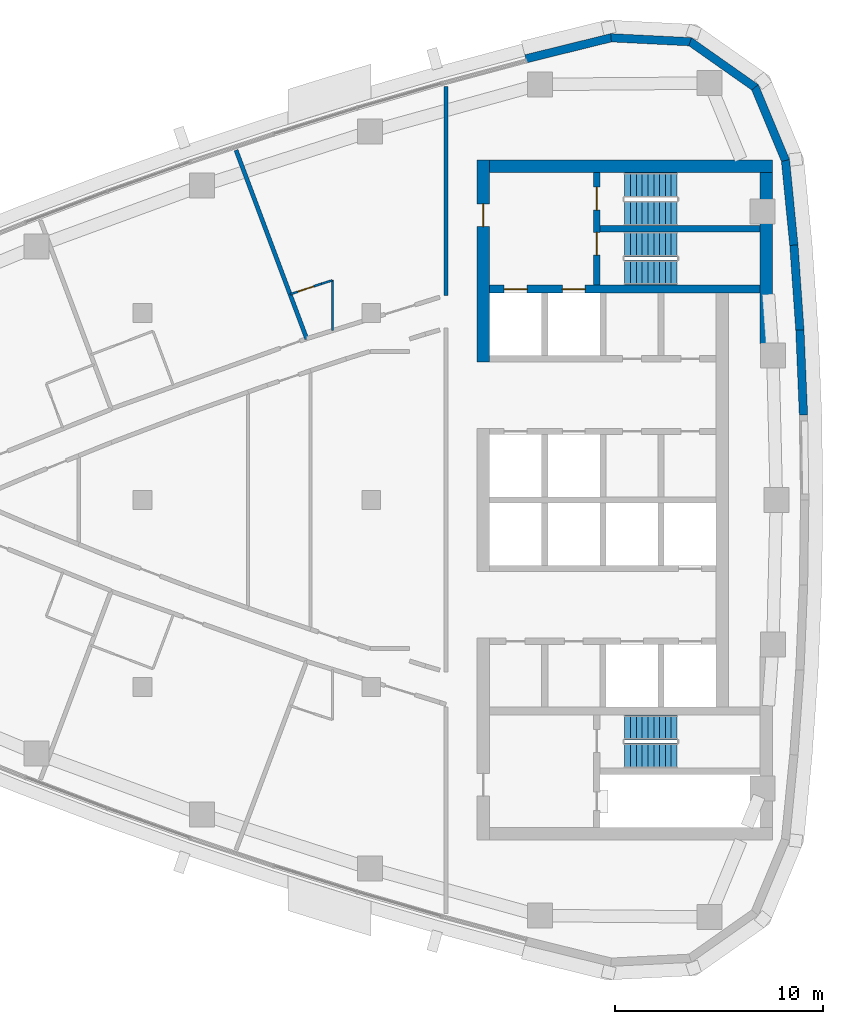
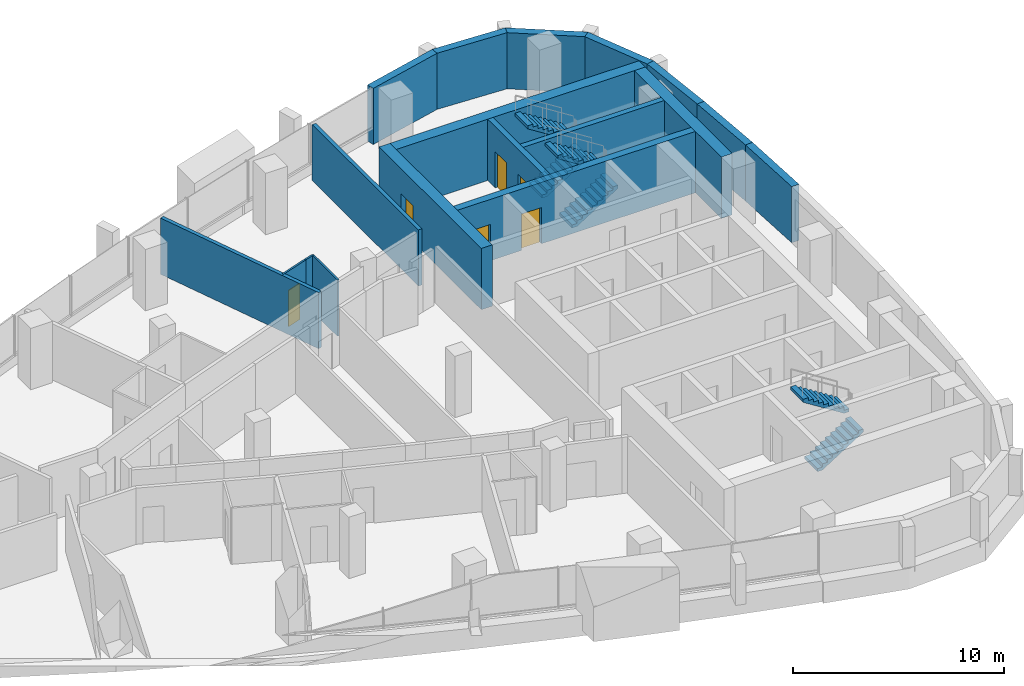
# One storey, part 11 of 15: 18 walls, 6 doors, 6 stair flights, 6 openings, 3 elements without a shape of their own.
"""IFC4 building model written with IfcOpenShell, lengths in metres."""

import ifcopenshell
import ifcopenshell.guid

model = None  # the IFC model being written
_history = None  # IfcOwnerHistory: only IFC2X3 demands one
_inside = {}  # id of a spatial element -> (the spatial element, [elements in it])
_under = {}  # id of a project, library or spatial element -> (it, [spatial elements below it])
_declared = {}  # id of a project -> (the project, [libraries it declares])
_typed = {}  # id of a type object -> (the type object, [elements of that type])
_made_of = {}  # id of a material, layer set ... -> (it, [elements and type objects made of it])


def new_model(schema):
    """Start an empty IFC model of exactly this schema.

    Asked for "IFC4X3", IfcOpenShell would pick the latest addendum, in which some entities
    have other attributes; the version numbers below select the first issue.
    IFC2X3 requires an IfcOwnerHistory on every rooted entity: one is made here for all.
    """
    global model, _history
    if schema == "IFC4X3":
        model = ifcopenshell.file(schema_version=(4, 3, 0, 0))
    else:
        model = ifcopenshell.file(schema=schema)
    _inside.clear()
    _under.clear()
    _declared.clear()
    _typed.clear()
    _made_of.clear()
    _history = None
    if model.schema == "IFC2X3":
        org = make("IfcOrganization", Name="unknown")
        user = make(
            "IfcPersonAndOrganization",
            ThePerson=make("IfcPerson", FamilyName="unknown"),
            TheOrganization=org,
        )
        app = make(
            "IfcApplication",
            ApplicationDeveloper=org,
            Version="unknown",
            ApplicationFullName="unknown",
            ApplicationIdentifier="unknown",
        )
        _history = make(
            "IfcOwnerHistory",
            OwningUser=user,
            OwningApplication=app,
            ChangeAction="ADDED",
            CreationDate=0,
        )
    return model


def make(cls, **values):
    """One entity of the class cls with the attributes given. An attribute that is None is left unset."""
    return model.create_entity(
        cls, **{name: value for name, value in values.items() if value is not None}
    )


def rooted(cls, **values):
    """An entity with a GlobalId (a new one), such as an element, a storey or a relation."""
    return make(cls, GlobalId=ifcopenshell.guid.new(), OwnerHistory=_history, **values)


def si_unit(unit_type, name, prefix=None):
    """IfcSIUnit, for example si_unit("LENGTHUNIT", "METRE", prefix="MILLI")."""
    return make("IfcSIUnit", UnitType=unit_type, Prefix=prefix, Name=name)


def assignment(units):
    """IfcUnitAssignment: the units of a project."""
    return None if units is None else make("IfcUnitAssignment", Units=units)


def point(xyz):
    """IfcCartesianPoint."""
    return None if xyz is None else make("IfcCartesianPoint", Coordinates=xyz)


def direction(xyz):
    """IfcDirection."""
    return None if xyz is None else make("IfcDirection", DirectionRatios=xyz)


def frame(location, z_axis=None, x_axis=None):
    """IfcAxis2Placement3D, a coordinate frame: its origin and axes. An axis left out is left unset."""
    return make(
        "IfcAxis2Placement3D",
        Location=point(location),
        Axis=direction(z_axis),
        RefDirection=direction(x_axis),
    )


def frame_2d(location, x_axis=None):
    """IfcAxis2Placement2D, a coordinate frame in the plane: its origin and x axis."""
    return make(
        "IfcAxis2Placement2D", Location=point(location), RefDirection=direction(x_axis)
    )


def origin():
    """The frame at (0, 0, 0) with its axes left unset."""
    return frame((0.0, 0.0, 0.0))


def place(relative_to, where):
    """IfcLocalPlacement: puts the frame where relative to a parent placement (None: the world)."""
    return make(
        "IfcLocalPlacement", PlacementRelTo=relative_to, RelativePlacement=where
    )


def context(
    kind, dimensions, precision=None, world=None, true_north=None, identifier=None
):
    """IfcGeometricRepresentationContext, for example the 3D "Model" context."""
    return make(
        "IfcGeometricRepresentationContext",
        ContextIdentifier=identifier,
        ContextType=kind,
        CoordinateSpaceDimension=dimensions,
        Precision=precision,
        WorldCoordinateSystem=world,
        TrueNorth=true_north,
    )


def subcontext(parent, identifier, kind, view, scale=None):
    """IfcGeometricRepresentationSubContext, for example "Body" below "Model"."""
    return make(
        "IfcGeometricRepresentationSubContext",
        ContextIdentifier=identifier,
        ContextType=kind,
        ParentContext=parent,
        TargetScale=scale,
        TargetView=view,
    )


def project(units=None, contexts=None):
    """IfcProject with its units and contexts."""
    return rooted(
        "IfcProject",
        Name="project",
        RepresentationContexts=contexts,
        UnitsInContext=assignment(units),
    )


def spatial(cls, under=None, at=None, **own):
    """A site, building, storey or space (cls), placed at a placement, below another one or the project."""
    s = rooted(cls, ObjectPlacement=at, **own)
    if under is not None:
        _under.setdefault(under.id(), (under, []))[1].append(s)
    return s


def polyline(points):
    """IfcPolyline through the points."""
    return make("IfcPolyline", Points=[point(p) for p in points])


def profile(cls, at=None, kind="AREA", **sizes):
    """A parametric profile (cls). Its sizes go by their IFC names, for example OverallWidth=200.0."""
    return make(cls, ProfileType=kind, Position=at, **sizes)


def rectangle(**sizes):
    """IfcRectangleProfileDef."""
    return profile("IfcRectangleProfileDef", **sizes)


def outline(outer, holes=None, kind="AREA"):
    """IfcArbitraryClosedProfileDef: a profile drawn as a closed curve; with holes, ...WithVoids."""
    if holes is None:
        return make("IfcArbitraryClosedProfileDef", ProfileType=kind, OuterCurve=outer)
    return make(
        "IfcArbitraryProfileDefWithVoids",
        ProfileType=kind,
        OuterCurve=outer,
        InnerCurves=holes,
    )


def extrude(swept, where, along, depth):
    """IfcExtrudedAreaSolid: the profile swept, set in the frame where, extruded along a direction by depth."""
    return make(
        "IfcExtrudedAreaSolid",
        SweptArea=swept,
        Position=where,
        ExtrudedDirection=direction(along),
        Depth=depth,
    )


def shape(context_of_items, identifier, shape_type, items):
    """IfcShapeRepresentation: the items that make up one representation, for example the "Body"."""
    return make(
        "IfcShapeRepresentation",
        ContextOfItems=context_of_items,
        RepresentationIdentifier=identifier,
        RepresentationType=shape_type,
        Items=items,
    )


def material(Name=None, Category=None):
    """IfcMaterial."""
    return make("IfcMaterial", Name=Name, Category=Category)


def layer(
    of_material, thickness, ventilated=None, Name=None, Category=None, Priority=None
):
    """IfcMaterialLayer: one layer of a wall or slab, of a material (None: an air gap)."""
    return make(
        "IfcMaterialLayer",
        Material=of_material,
        LayerThickness=thickness,
        IsVentilated=ventilated,
        Name=Name,
        Category=Category,
        Priority=Priority,
    )


def layer_set(layers, Name=None):
    """IfcMaterialLayerSet."""
    return make("IfcMaterialLayerSet", MaterialLayers=layers, LayerSetName=Name)


def made_of(thing, what):
    """Note that an element or type object is made of a material, layer set ...; save() writes the relation."""
    if what is not None:
        _made_of.setdefault(what.id(), (what, []))[1].append(thing)
    return thing


def type_object(cls, material=None, **own):
    """A type object (cls), such as IfcWallType, which elements share."""
    return made_of(rooted(cls, **own), material)


def element(
    cls,
    number,
    at=None,
    inside=None,
    cuts=None,
    type_object=None,
    material=None,
    context=None,
    identifier="Body",
    shape_type=None,
    held_by="IfcProductDefinitionShape",
    body=None,
    shapes=None,
    **own,
):
    """One element of the class cls, such as IfcWall. Its Tag is "e" and its number.

    at: its placement. inside: the storey or other place that contains it. cuts: it is an
    opening in that element (IfcRelVoidsElement). A single representation is given by context,
    identifier, shape_type and body (its items); several are given by shapes. held_by: the class
    of the entity that holds the representations. save() writes the other relations.
    """
    e = rooted(cls, Tag="e%d" % number, ObjectPlacement=at, **own)
    if body is not None:
        shapes = [shape(context, identifier, shape_type, body)]
    if shapes is not None:
        e.Representation = make(held_by, Representations=shapes)
    if inside is not None:
        _inside.setdefault(inside.id(), (inside, []))[1].append(e)
    if cuts is not None:
        rooted(
            "IfcRelVoidsElement", RelatingBuildingElement=cuts, RelatedOpeningElement=e
        )
    if type_object is not None:
        _typed.setdefault(type_object.id(), (type_object, []))[1].append(e)
    return made_of(e, material)


def fill(opening, filler):
    """IfcRelFillsElement: the door or window that sits in an opening."""
    return rooted(
        "IfcRelFillsElement",
        RelatingOpeningElement=opening,
        RelatedBuildingElement=filler,
    )


def aggregate(whole, parts):
    """IfcRelAggregates: a whole, such as a stair, and the parts it consists of."""
    return rooted("IfcRelAggregates", RelatingObject=whole, RelatedObjects=parts)


def save(model, path):
    """Write the relations noted so far, then the file.

    IfcRelAggregates (storeys below a building ...), IfcRelContainedInSpatialStructure (elements
    in a storey), IfcRelDefinesByType, IfcRelAssociatesMaterial and IfcRelDeclares: one each for
    every whole, place, type object, material and project.
    """
    for whole, parts in _under.values():
        aggregate(whole, parts)
    for where, things in _inside.values():
        rooted(
            "IfcRelContainedInSpatialStructure",
            RelatedElements=things,
            RelatingStructure=where,
        )
    for kind, things in _typed.values():
        rooted("IfcRelDefinesByType", RelatedObjects=things, RelatingType=kind)
    for what, things in _made_of.values():
        rooted("IfcRelAssociatesMaterial", RelatedObjects=things, RelatingMaterial=what)
    for by, libraries in _declared.values():
        rooted("IfcRelDeclares", RelatingContext=by, RelatedDefinitions=libraries)
    model.write(path)


model = new_model("IFC4")

# Units and contexts
model_context = context("Model", 3, precision=1e-05, world=origin(), true_north=direction((0.0, 1.0)))
body_context = subcontext(model_context, "Body", "Model", "MODEL_VIEW")
ifc_project = project(units=[si_unit("LENGTHUNIT", "METRE"), si_unit("AREAUNIT", "SQUARE_METRE"), si_unit("VOLUMEUNIT", "CUBIC_METRE"), si_unit("PLANEANGLEUNIT", "RADIAN"), si_unit("MASSUNIT", "GRAM", prefix="KILO")], contexts=[model_context])

# Site, building, storey
site_placement = place(None, origin())
site = spatial("IfcSite", under=ifc_project, at=site_placement, CompositionType="ELEMENT")
building_placement = place(site_placement, origin())
building = spatial("IfcBuilding", under=site, at=building_placement, Name="Ostrand Prow Hotel Tower", CompositionType="ELEMENT")
storey_placement = place(building_placement, frame((0.0, 0.0, 231.449951171875)))
storey = spatial("IfcBuildingStorey", under=building, at=storey_placement, Name="L58", CompositionType="ELEMENT", Elevation=231.449951171875)

# Wall, openings, doors
ifc_material_1 = material(Name="Concrete C50/60", Category="concrete")
ifc_layer_1 = layer(ifc_material_1, 0.300048828125)
ifc_layer_set_1 = layer_set([ifc_layer_1], Name="Concrete C50/60")
wall_type_1 = type_object("IfcWallType", Name="Core wall 300 C50/60", PredefinedType="SHEAR", material=ifc_layer_set_1)
wall_1_placement = place(storey_placement, frame((55.85009765625, 10.35009765625, 0.0), z_axis=(0.0, 0.0, 1.0), x_axis=(0.0, 1.0, 0.0)))
wall_1 = element("IfcWall", 1, at=wall_1_placement, inside=storey, type_object=wall_type_1, Name="Core wall PW-VN", PredefinedType="SHEAR", context=body_context, shape_type="SweptSolid", body=[
    extrude(rectangle(XDim=5.39990234375, YDim=0.300048828125, at=frame_2d((2.699951171875, 0.0))), origin(), (0.0, 0.0, 1.0), 3.550048828125),
])
opening_1_placement = place(wall_1_placement, frame((1.429931640625, 0.0, 0.0)))
opening_1 = element("IfcOpeningElement", 2, at=opening_1_placement, cuts=wall_1, Name="Opening FD1", PredefinedType="OPENING", context=body_context, shape_type="SweptSolid", body=[
    extrude(rectangle(XDim=1.10009765625, YDim=2.10009765625, at=frame_2d((0.550048828125, 1.050048828125))), frame((0.0, 0.159912109375, 0.0), z_axis=(0.0, -1.0, 0.0), x_axis=(1.0, 0.0, 0.0)), (0.0, 0.0, 1.0), 0.320068359375),
])
opening_2_placement = place(wall_1_placement, frame((3.60009765625, 0.0, 0.0)))
opening_2 = element("IfcOpeningElement", 3, at=opening_2_placement, cuts=wall_1, Name="Opening FD1", PredefinedType="OPENING", context=body_context, shape_type="SweptSolid", body=[
    extrude(rectangle(XDim=1.10009765625, YDim=2.10009765625, at=frame_2d((0.550048828125, 1.050048828125))), frame((0.0, 0.159912109375, 0.0), z_axis=(0.0, -1.0, 0.0), x_axis=(1.0, 0.0, 0.0)), (0.0, 0.0, 1.0), 0.320068359375),
])
ifc_material_2 = material(Name="Steel fire door", Category="steel")
door_type_1 = type_object("IfcDoorType", Name="Fire door 1100 EI120", OperationType="SINGLE_SWING_RIGHT", PredefinedType="DOOR", material=ifc_material_2)
door_1_placement = place(opening_1_placement, origin())
door_1 = element("IfcDoor", 4, at=door_1_placement, inside=storey, type_object=door_type_1, Name="FIRE DOOR", OperationType="SINGLE_SWING_RIGHT", OverallHeight=2.10009765625, OverallWidth=1.10009765625, PredefinedType="DOOR", context=body_context, shape_type="SweptSolid", body=[
    extrude(rectangle(XDim=1.10009765625, YDim=2.10009765625, at=frame_2d((0.550048828125, 1.050048828125))), frame((0.0, 0.02490234375, 0.0), z_axis=(0.0, -1.0, 0.0), x_axis=(1.0, 0.0, 0.0)), (0.0, 0.0, 1.0), 0.050048828125),
])
fill(opening_1, door_1)
door_2_placement = place(opening_2_placement, origin())
door_2 = element("IfcDoor", 5, at=door_2_placement, inside=storey, type_object=door_type_1, Name="FIRE DOOR", OperationType="SINGLE_SWING_RIGHT", OverallHeight=2.10009765625, OverallWidth=1.10009765625, PredefinedType="DOOR", context=body_context, shape_type="SweptSolid", body=[
    extrude(rectangle(XDim=1.10009765625, YDim=2.10009765625, at=frame_2d((0.550048828125, 1.050048828125))), frame((0.0, 0.02490234375, 0.0), z_axis=(0.0, -1.0, 0.0), x_axis=(1.0, 0.0, 0.0)), (0.0, 0.0, 1.0), 0.050048828125),
])
fill(opening_2, door_2)

# Wall
wall_2_placement = place(storey_placement, frame((56.0, 13.050048828125, 0.0), z_axis=(0.0, 0.0, 1.0), x_axis=(1.0, 0.0, 0.0)))
element("IfcWall", 6, at=wall_2_placement, inside=storey, type_object=wall_type_1, Name="Core wall PW-ST13", PredefinedType="SHEAR", context=body_context, shape_type="SweptSolid", body=[
    extrude(rectangle(XDim=7.719970703125, YDim=0.300048828125, at=frame_2d((3.85986328125, 0.0))), origin(), (0.0, 0.0, 1.0), 3.550048828125),
])

# Wall, openings, doors
ifc_material_3 = material(Name="Concrete C50/60", Category="concrete")
ifc_layer_2 = layer(ifc_material_3, 0.39990234375)
ifc_layer_set_2 = layer_set([ifc_layer_2], Name="Concrete C50/60")
wall_type_2 = type_object("IfcWallType", Name="Core wall 400 C50/60", PredefinedType="SHEAR", material=ifc_layer_set_2)
wall_3_placement = place(storey_placement, frame((50.699951171875, 10.14990234375, 0.0), z_axis=(0.0, 0.0, 1.0), x_axis=(1.0, 0.0, 0.0)))
wall_3 = element("IfcWall", 7, at=wall_3_placement, inside=storey, type_object=wall_type_2, Name="Core wall PW-BN", PredefinedType="SHEAR", context=body_context, shape_type="SweptSolid", body=[
    extrude(rectangle(XDim=13.02001953125, YDim=0.39990234375, at=frame_2d((6.510009765625, 0.0))), origin(), (0.0, 0.0, 1.0), 3.550048828125),
])
opening_3_placement = place(wall_3_placement, frame((0.699951171875, 0.0, 0.0)))
opening_3 = element("IfcOpeningElement", 8, at=opening_3_placement, cuts=wall_3, Name="Opening LD", PredefinedType="OPENING", context=body_context, shape_type="SweptSolid", body=[
    extrude(rectangle(XDim=1.10009765625, YDim=2.10009765625, at=frame_2d((0.550048828125, 1.050048828125))), frame((0.0, 0.2099609375, 0.0), z_axis=(0.0, -1.0, 0.0), x_axis=(1.0, 0.0, 0.0)), (0.0, 0.0, 1.0), 0.419921875),
])
opening_4_placement = place(wall_3_placement, frame((3.5, 0.0, 0.0)))
opening_4 = element("IfcOpeningElement", 9, at=opening_4_placement, cuts=wall_3, Name="Opening LD", PredefinedType="OPENING", context=body_context, shape_type="SweptSolid", body=[
    extrude(rectangle(XDim=1.10009765625, YDim=2.10009765625, at=frame_2d((0.550048828125, 1.050048828125))), frame((0.0, 0.2099609375, 0.0), z_axis=(0.0, -1.0, 0.0), x_axis=(1.0, 0.0, 0.0)), (0.0, 0.0, 1.0), 0.419921875),
])
ifc_material_4 = material(Name="Stainless steel door", Category="steel")
door_type_2 = type_object("IfcDoorType", Name="Lift landing door 1100", OperationType="DOUBLE_DOOR_SLIDING", PredefinedType="DOOR", material=ifc_material_4)
door_3_placement = place(opening_3_placement, origin())
door_3 = element("IfcDoor", 10, at=door_3_placement, inside=storey, type_object=door_type_2, Name="LIFT LANDING DOOR", OperationType="DOUBLE_DOOR_SLIDING", OverallHeight=2.10009765625, OverallWidth=1.10009765625, PredefinedType="DOOR", context=body_context, shape_type="SweptSolid", body=[
    extrude(rectangle(XDim=1.10009765625, YDim=2.10009765625, at=frame_2d((0.550048828125, 1.050048828125))), frame((0.0, 0.02490234375, 0.0), z_axis=(0.0, -1.0, 0.0), x_axis=(1.0, 0.0, 0.0)), (0.0, 0.0, 1.0), 0.050048828125),
])
fill(opening_3, door_3)
door_4_placement = place(opening_4_placement, origin())
door_4 = element("IfcDoor", 11, at=door_4_placement, inside=storey, type_object=door_type_2, Name="LIFT LANDING DOOR", OperationType="DOUBLE_DOOR_SLIDING", OverallHeight=2.10009765625, OverallWidth=1.10009765625, PredefinedType="DOOR", context=body_context, shape_type="SweptSolid", body=[
    extrude(rectangle(XDim=1.10009765625, YDim=2.10009765625, at=frame_2d((0.550048828125, 1.050048828125))), frame((0.0, 0.02490234375, 0.0), z_axis=(0.0, -1.0, 0.0), x_axis=(1.0, 0.0, 0.0)), (0.0, 0.0, 1.0), 0.050048828125),
])
fill(opening_4, door_4)

# Wall, opening, door
ifc_material_5 = material(Name="Concrete C50/60", Category="concrete")
ifc_layer_3 = layer(ifc_material_5, 0.60009765625)
ifc_layer_set_3 = layer_set([ifc_layer_3], Name="Concrete C50/60")
wall_type_3 = type_object("IfcWallType", Name="Core wall 600 C50/60", PredefinedType="SHEAR", material=ifc_layer_set_3)
wall_4_placement = place(storey_placement, frame((50.39990234375, 6.64990234375, 0.0), z_axis=(0.0, 0.0, 1.0), x_axis=(0.0, 1.0, 0.0)))
wall_4 = element("IfcWall", 12, at=wall_4_placement, inside=storey, type_object=wall_type_3, Name="Core wall CW-W-N", PredefinedType="SHEAR", context=body_context, shape_type="SweptSolid", body=[
    extrude(rectangle(XDim=9.7001953125, YDim=0.60009765625, at=frame_2d((4.85009765625, 0.0))), origin(), (0.0, 0.0, 1.0), 3.550048828125),
])
opening_5_placement = place(wall_4_placement, frame((6.5, 0.0, 0.0)))
opening_5 = element("IfcOpeningElement", 13, at=opening_5_placement, cuts=wall_4, Name="Opening FD1", PredefinedType="OPENING", context=body_context, shape_type="SweptSolid", body=[
    extrude(rectangle(XDim=1.10009765625, YDim=2.10009765625, at=frame_2d((0.550048828125, 1.050048828125))), frame((0.0, 0.31005859375, 0.0), z_axis=(0.0, -1.0, 0.0), x_axis=(1.0, 0.0, 0.0)), (0.0, 0.0, 1.0), 0.6201171875),
])
door_5_placement = place(opening_5_placement, origin())
door_5 = element("IfcDoor", 14, at=door_5_placement, inside=storey, type_object=door_type_1, Name="FIRE DOOR", OperationType="SINGLE_SWING_RIGHT", OverallHeight=2.10009765625, OverallWidth=1.10009765625, PredefinedType="DOOR", context=body_context, shape_type="SweptSolid", body=[
    extrude(rectangle(XDim=1.10009765625, YDim=2.10009765625, at=frame_2d((0.550048828125, 1.050048828125))), frame((0.0, 0.02490234375, 0.0), z_axis=(0.0, -1.0, 0.0), x_axis=(1.0, 0.0, 0.0)), (0.0, 0.0, 1.0), 0.050048828125),
])
fill(opening_5, door_5)

# Walls
wall_5_placement = place(storey_placement, frame((50.699951171875, 16.050048828125, 0.0), z_axis=(0.0, 0.0, 1.0), x_axis=(1.0, 0.0, 0.0)))
element("IfcWall", 15, at=wall_5_placement, inside=storey, type_object=wall_type_3, Name="Core wall CW-N", PredefinedType="SHEAR", context=body_context, shape_type="SweptSolid", body=[
    extrude(rectangle(XDim=13.6201171875, YDim=0.60009765625, at=frame_2d((6.81005859375, 0.0))), origin(), (0.0, 0.0, 1.0), 3.550048828125),
])
wall_6_placement = place(storey_placement, frame((64.02001953125, 7.502197265625, 0.0), z_axis=(0.0, 0.0, 1.0), x_axis=(0.0, 1.0, 0.0)))
element("IfcWall", 16, at=wall_6_placement, inside=storey, type_object=wall_type_3, Name="Core wall CW-E-N", PredefinedType="SHEAR", context=body_context, shape_type="SweptSolid", body=[
    extrude(rectangle(XDim=8.247802734375, YDim=0.60009765625, at=frame_2d((4.1240234375, 0.0))), origin(), (0.0, 0.0, 1.0), 3.550048828125),
])

# Wall, opening, door
ifc_material_6 = material(Name="Plasterboard partition")
ifc_layer_4 = layer(ifc_material_6, 0.10009765625)
ifc_layer_set_4 = layer_set([ifc_layer_4], Name="Plasterboard partition")
wall_type_4 = type_object("IfcWallType", Name="Partition 100 bathroom wall", PredefinedType="PARTITIONING", material=ifc_layer_set_4)
wall_7_placement = place(storey_placement, frame((41.097412109375, 9.900634765625, 0.0), z_axis=(0.0, 0.0, 1.0), x_axis=(0.948485479965, 0.3168206027, 0.0)))
wall_7 = element("IfcWall", 17, at=wall_7_placement, inside=storey, type_object=wall_type_4, Name="BATHROOM WALL", PredefinedType="PARTITIONING", context=body_context, shape_type="SweptSolid", body=[
    extrude(rectangle(XDim=1.60595703125, YDim=0.10009765625, at=frame_2d((0.802978515625, 0.0))), origin(), (0.0, 0.0, 1.0), 3.25),
])
opening_6_placement = place(wall_7_placement, frame((0.39990234375, 0.0, 0.0)))
opening_6 = element("IfcOpeningElement", 18, at=opening_6_placement, cuts=wall_7, Name="Opening D2", PredefinedType="OPENING", context=body_context, shape_type="SweptSolid", body=[
    extrude(rectangle(XDim=0.800048828125, YDim=2.10009765625, at=frame_2d((0.39990234375, 1.050048828125))), frame((0.0, 0.06005859375, 0.0), z_axis=(0.0, -1.0, 0.0), x_axis=(1.0, 0.0, 0.0)), (0.0, 0.0, 1.0), 0.1201171875),
])
ifc_material_7 = material(Name="Timber door leaf", Category="wood")
door_type_3 = type_object("IfcDoorType", Name="Bathroom door 800", OperationType="SINGLE_SWING_LEFT", PredefinedType="DOOR", material=ifc_material_7)
door_6_placement = place(opening_6_placement, origin())
door_6 = element("IfcDoor", 19, at=door_6_placement, inside=storey, type_object=door_type_3, Name="DOOR", OperationType="SINGLE_SWING_LEFT", OverallHeight=2.10009765625, OverallWidth=0.800048828125, PredefinedType="DOOR", context=body_context, shape_type="SweptSolid", body=[
    extrude(rectangle(XDim=0.800048828125, YDim=2.10009765625, at=frame_2d((0.39990234375, 1.050048828125))), frame((0.0, 0.02490234375, 0.0), z_axis=(0.0, -1.0, 0.0), x_axis=(1.0, 0.0, 0.0)), (0.0, 0.0, 1.0), 0.050048828125),
])
fill(opening_6, door_6)

# Walls
wall_8_placement = place(storey_placement, frame((42.62060546875, 10.409423828125, 0.0), z_axis=(0.0, 0.0, 1.0), x_axis=(0.954618903587, 0.297830067176, 0.0)))
element("IfcWall", 20, at=wall_8_placement, inside=storey, type_object=wall_type_4, Name="BATHROOM WALL", PredefinedType="PARTITIONING", context=body_context, shape_type="SweptSolid", body=[
    extrude(rectangle(XDim=0.53125, YDim=0.10009765625, at=frame_2d((0.265625, 0.0))), origin(), (0.0, 0.0, 1.0), 3.25),
])
wall_9_placement = place(storey_placement, frame((43.14501953125, 10.59033203125, 0.0), z_axis=(0.0, 0.0, 1.0), x_axis=(0.0, -1.0, 0.0)))
element("IfcWall", 21, at=wall_9_placement, inside=storey, type_object=wall_type_4, Name="BATHROOM WALL", PredefinedType="PARTITIONING", context=body_context, shape_type="SweptSolid", body=[
    extrude(rectangle(XDim=2.42529296875, YDim=0.10009765625, at=frame_2d((1.212646484375, 0.0))), origin(), (0.0, 0.0, 1.0), 3.25),
])
ifc_material_8 = material(Name="Plasterboard partition")
ifc_layer_5 = layer(ifc_material_8, 0.199951171875)
ifc_layer_set_5 = layer_set([ifc_layer_5], Name="Plasterboard partition")
wall_type_5 = type_object("IfcWallType", Name="Partition 200 corridor wall", PredefinedType="PARTITIONING", material=ifc_layer_set_5)
wall_10_placement = place(storey_placement, frame((48.594970703125, 19.904296875, 0.0), z_axis=(0.0, 0.0, 1.0), x_axis=(0.0, -1.0, 0.0)))
element("IfcWall", 22, at=wall_10_placement, inside=storey, type_object=wall_type_5, Name="CORRIDOR WALL", PredefinedType="PARTITIONING", context=body_context, shape_type="SweptSolid", body=[
    extrude(rectangle(XDim=10.0673828125, YDim=0.199951171875, at=frame_2d((5.03369140625, 0.0))), origin(), (0.0, 0.0, 1.0), 3.25),
])
ifc_material_9 = material(Name="Plasterboard partition")
ifc_layer_6 = layer(ifc_material_9, 0.199951171875)
ifc_layer_set_6 = layer_set([ifc_layer_6], Name="Plasterboard partition")
wall_type_6 = type_object("IfcWallType", Name="Partition 200 key partition", PredefinedType="PARTITIONING", material=ifc_layer_set_6)
wall_11_placement = place(storey_placement, frame((41.905517578125, 7.74560546875, 0.0), z_axis=(0.0, 0.0, 1.0), x_axis=(-0.35112895446, 0.936327110224, 0.0)))
element("IfcWall", 23, at=wall_11_placement, inside=storey, type_object=wall_type_6, Name="KEY PARTITION", PredefinedType="PARTITIONING", context=body_context, shape_type="SweptSolid", body=[
    extrude(rectangle(XDim=9.706298828125, YDim=0.199951171875, at=frame_2d((4.85302734375, 0.0))), origin(), (0.0, 0.0, 1.0), 3.25),
])
ifc_material_10 = material(Name="Precast concrete C40/50", Category="concrete")
ifc_layer_7 = layer(ifc_material_10, 0.39990234375)
ifc_layer_set_7 = layer_set([ifc_layer_7], Name="Precast concrete C40/50")
wall_type_7 = type_object("IfcWallType", Name="Stone-faced precast wall 400 mm", PredefinedType="NOTDEFINED", material=ifc_layer_set_7)
wall_12_placement = place(storey_placement, frame((65.803955078125, 4.092529296875, 0.0), z_axis=(0.0, 0.0, 1.0), x_axis=(-0.042352554594, 0.999102728011, 0.0)))
element("IfcWall", 24, at=wall_12_placement, inside=storey, type_object=wall_type_7, Name="Stone-faced wall back 10", PredefinedType="NOTDEFINED", context=body_context, shape_type="SweptSolid", body=[
    extrude(outline(polyline([(-0.002685546875, -0.199951171875), (4.095458984375, -0.199951171875), (4.090087890625, 0.199951171875), (0.002685546875, 0.199951171875), (-0.002685546875, -0.199951171875)])), origin(), (0.0, 0.0, 1.0), 3.25),
])
wall_13_placement = place(storey_placement, frame((65.630615234375, 8.181640625, 0.0), z_axis=(0.0, 0.0, 1.0), x_axis=(-0.070623905352, 0.997503014528, 0.0)))
element("IfcWall", 25, at=wall_13_placement, inside=storey, type_object=wall_type_7, Name="Stone-faced wall back 11", PredefinedType="NOTDEFINED", context=body_context, shape_type="SweptSolid", body=[
    extrude(outline(polyline([(-0.002685546875, -0.199951171875), (4.095703125, -0.199951171875), (4.09033203125, 0.199951171875), (0.002685546875, 0.199951171875), (-0.002685546875, -0.199951171875)])), origin(), (0.0, 0.0, 1.0), 3.25),
])
wall_14_placement = place(storey_placement, frame((65.341552734375, 12.264404296875, 0.0), z_axis=(0.0, 0.0, 1.0), x_axis=(-0.098718218066, 0.995115427185, 0.0)))
element("IfcWall", 26, at=wall_14_placement, inside=storey, type_object=wall_type_7, Name="Stone-faced wall back 12", PredefinedType="NOTDEFINED", context=body_context, shape_type="SweptSolid", body=[
    extrude(outline(polyline([(-0.002685546875, -0.199951171875), (4.122802734375, -0.199951171875), (4.063232421875, 0.199951171875), (0.002685546875, 0.199951171875), (-0.002685546875, -0.199951171875)])), origin(), (0.0, 0.0, 1.0), 3.25),
])
wall_15_placement = place(storey_placement, frame((64.9375, 16.33740234375, 0.0), z_axis=(0.0, 0.0, 1.0), x_axis=(-0.3844335483, 0.923152667191, 0.0)))
element("IfcWall", 27, at=wall_15_placement, inside=storey, type_object=wall_type_7, Name="Stone-faced wall back 13", PredefinedType="NOTDEFINED", context=body_context, shape_type="SweptSolid", body=[
    extrude(outline(polyline([(-0.02978515625, -0.199951171875), (3.871337890625, -0.199951171875), (3.755615234375, 0.199951171875), (0.02978515625, 0.199951171875), (-0.02978515625, -0.199951171875)])), origin(), (0.0, 0.0, 1.0), 3.25),
])
wall_16_placement = place(storey_placement, frame((63.471435546875, 19.85791015625, 0.0), z_axis=(0.0, 0.0, 1.0), x_axis=(-0.817942545532, 0.575299915009, 0.0)))
element("IfcWall", 28, at=wall_16_placement, inside=storey, type_object=wall_type_7, Name="Stone-faced wall back 14", PredefinedType="NOTDEFINED", context=body_context, shape_type="SweptSolid", body=[
    extrude(outline(polyline([(-0.057861328125, -0.199951171875), (3.871337890625, -0.199951171875), (3.755615234375, 0.199951171875), (0.057861328125, 0.199951171875), (-0.057861328125, -0.199951171875)])), origin(), (0.0, 0.0, 1.0), 3.25),
])
wall_17_placement = place(storey_placement, frame((60.352294921875, 22.0517578125, 0.0), z_axis=(0.0, 0.0, 1.0), x_axis=(-0.998758875872, 0.049806705046, 0.0)))
element("IfcWall", 29, at=wall_17_placement, inside=storey, type_object=wall_type_7, Name="Stone-faced wall back 15", PredefinedType="NOTDEFINED", context=body_context, shape_type="SweptSolid", body=[
    extrude(outline(polyline([(-0.057861328125, -0.199951171875), (3.8427734375, -0.199951171875), (3.7841796875, 0.199951171875), (0.057861328125, 0.199951171875), (-0.057861328125, -0.199951171875)])), origin(), (0.0, 0.0, 1.0), 3.25),
])
wall_18_placement = place(storey_placement, frame((56.54345703125, 22.24169921875, 0.0), z_axis=(0.0, 0.0, 1.0), x_axis=(-0.970902342456, -0.23947576373, 0.0)))
element("IfcWall", 30, at=wall_18_placement, inside=storey, type_object=wall_type_7, Name="Stone-faced wall back 16", PredefinedType="NOTDEFINED", context=body_context, shape_type="SweptSolid", body=[
    extrude(outline(polyline([(-0.029296875, -0.199951171875), (4.225830078125, -0.199951171875), (4.225830078125, 0.199951171875), (0.029296875, 0.199951171875), (-0.029296875, -0.199951171875)])), origin(), (0.0, 0.0, 1.0), 3.25),
])

# Stair, stair flights
ifc_material_11 = material(Name="Concrete C40/50", Category="concrete")
stair_type = type_object("IfcStairType", Name="Exit stair 1200 upper zone", PredefinedType="HALF_TURN_STAIR", material=ifc_material_11)
stair_1_placement = place(storey_placement, origin())
stair_1 = element("IfcStair", 31, at=stair_1_placement, inside=storey, type_object=stair_type, Name="L58 ST1C", PredefinedType="HALF_TURN_STAIR")
ifc_material_12 = material(Name="Concrete C40/50", Category="concrete")
stair_flight_type = type_object("IfcStairFlightType", Name="Stair flight 1200 concrete", PredefinedType="STRAIGHT", material=ifc_material_12)
stair_flight_1_placement = place(storey_placement, frame((57.199951171875, 10.949951171875, 0.0), z_axis=(0.0, 0.0, 1.0), x_axis=(1.0, 0.0, 0.0)))
stair_flight_1 = element("IfcStairFlight", 32, at=stair_flight_1_placement, type_object=stair_flight_type, Name="ST1C flight 1", NumberOfRisers=10, NumberOfTreads=9, PredefinedType="STRAIGHT", RiserHeight=0.1775, TreadLength=0.28, context=body_context, shape_type="SweptSolid", body=[
    extrude(outline(polyline([(0.0, 0.0), (0.0, 0.177490234375), (0.280029296875, 0.177490234375), (0.280029296875, 0.35498046875), (0.56005859375, 0.35498046875), (0.56005859375, 0.532470703125), (0.840087890625, 0.532470703125), (0.840087890625, 0.7099609375), (1.1201171875, 0.7099609375), (1.1201171875, 0.887451171875), (1.39990234375, 0.887451171875), (1.39990234375, 1.06494140625), (1.679931640625, 1.06494140625), (1.679931640625, 1.242431640625), (1.9599609375, 1.242431640625), (1.9599609375, 1.419921875), (2.239990234375, 1.419921875), (2.239990234375, 1.597412109375), (2.52001953125, 1.597412109375), (2.52001953125, 1.77490234375), (2.52001953125, 1.419921875), (0.280029296875, 0.0), (0.0, 0.0)])), frame((0.0, 0.60009765625, 0.0), z_axis=(0.0, -1.0, 0.0), x_axis=(1.0, 0.0, 0.0)), (0.0, 0.0, 1.0), 1.199951171875),
])
stair_flight_2_placement = place(storey_placement, frame((59.719970703125, 12.300048828125, 1.775146484375), z_axis=(0.0, 0.0, 1.0), x_axis=(-1.0, 0.0, 0.0)))
stair_flight_2 = element("IfcStairFlight", 33, at=stair_flight_2_placement, type_object=stair_flight_type, Name="ST1C flight 2", NumberOfRisers=10, NumberOfTreads=9, PredefinedType="STRAIGHT", RiserHeight=0.1775, TreadLength=0.28, context=body_context, shape_type="SweptSolid", body=[
    extrude(outline(polyline([(0.0, 0.0), (0.0, 0.177490234375), (0.280029296875, 0.177490234375), (0.280029296875, 0.35498046875), (0.56005859375, 0.35498046875), (0.56005859375, 0.532470703125), (0.840087890625, 0.532470703125), (0.840087890625, 0.7099609375), (1.1201171875, 0.7099609375), (1.1201171875, 0.887451171875), (1.39990234375, 0.887451171875), (1.39990234375, 1.06494140625), (1.679931640625, 1.06494140625), (1.679931640625, 1.242431640625), (1.9599609375, 1.242431640625), (1.9599609375, 1.419921875), (2.239990234375, 1.419921875), (2.239990234375, 1.597412109375), (2.52001953125, 1.597412109375), (2.52001953125, 1.77490234375), (2.52001953125, 1.419921875), (0.280029296875, 0.0), (0.0, 0.0)])), frame((0.0, 0.60009765625, 0.0), z_axis=(0.0, -1.0, 0.0), x_axis=(1.0, 0.0, 0.0)), (0.0, 0.0, 1.0), 1.199951171875),
])
aggregate(stair_1, [stair_flight_1, stair_flight_2])

stair_2_placement = place(storey_placement, origin())
stair_2 = element("IfcStair", 34, at=stair_2_placement, inside=storey, type_object=stair_type, Name="L58 ST3C", PredefinedType="HALF_TURN_STAIR")
stair_flight_3_placement = place(storey_placement, frame((57.199951171875, 13.800048828125, 0.0), z_axis=(0.0, 0.0, 1.0), x_axis=(1.0, 0.0, 0.0)))
stair_flight_3 = element("IfcStairFlight", 35, at=stair_flight_3_placement, type_object=stair_flight_type, Name="ST3C flight 1", NumberOfRisers=10, NumberOfTreads=9, PredefinedType="STRAIGHT", RiserHeight=0.1775, TreadLength=0.28, context=body_context, shape_type="SweptSolid", body=[
    extrude(outline(polyline([(0.0, 0.0), (0.0, 0.177490234375), (0.280029296875, 0.177490234375), (0.280029296875, 0.35498046875), (0.56005859375, 0.35498046875), (0.56005859375, 0.532470703125), (0.840087890625, 0.532470703125), (0.840087890625, 0.7099609375), (1.1201171875, 0.7099609375), (1.1201171875, 0.887451171875), (1.39990234375, 0.887451171875), (1.39990234375, 1.06494140625), (1.679931640625, 1.06494140625), (1.679931640625, 1.242431640625), (1.9599609375, 1.242431640625), (1.9599609375, 1.419921875), (2.239990234375, 1.419921875), (2.239990234375, 1.597412109375), (2.52001953125, 1.597412109375), (2.52001953125, 1.77490234375), (2.52001953125, 1.419921875), (0.280029296875, 0.0), (0.0, 0.0)])), frame((0.0, 0.60009765625, 0.0), z_axis=(0.0, -1.0, 0.0), x_axis=(1.0, 0.0, 0.0)), (0.0, 0.0, 1.0), 1.199951171875),
])
stair_flight_4_placement = place(storey_placement, frame((59.719970703125, 15.14990234375, 1.775146484375), z_axis=(0.0, 0.0, 1.0), x_axis=(-1.0, 0.0, 0.0)))
stair_flight_4 = element("IfcStairFlight", 36, at=stair_flight_4_placement, type_object=stair_flight_type, Name="ST3C flight 2", NumberOfRisers=10, NumberOfTreads=9, PredefinedType="STRAIGHT", RiserHeight=0.1775, TreadLength=0.28, context=body_context, shape_type="SweptSolid", body=[
    extrude(outline(polyline([(0.0, 0.0), (0.0, 0.177490234375), (0.280029296875, 0.177490234375), (0.280029296875, 0.35498046875), (0.56005859375, 0.35498046875), (0.56005859375, 0.532470703125), (0.840087890625, 0.532470703125), (0.840087890625, 0.7099609375), (1.1201171875, 0.7099609375), (1.1201171875, 0.887451171875), (1.39990234375, 0.887451171875), (1.39990234375, 1.06494140625), (1.679931640625, 1.06494140625), (1.679931640625, 1.242431640625), (1.9599609375, 1.242431640625), (1.9599609375, 1.419921875), (2.239990234375, 1.419921875), (2.239990234375, 1.597412109375), (2.52001953125, 1.597412109375), (2.52001953125, 1.77490234375), (2.52001953125, 1.419921875), (0.280029296875, 0.0), (0.0, 0.0)])), frame((0.0, 0.60009765625, 0.0), z_axis=(0.0, -1.0, 0.0), x_axis=(1.0, 0.0, 0.0)), (0.0, 0.0, 1.0), 1.199951171875),
])
aggregate(stair_2, [stair_flight_3, stair_flight_4])

stair_3_placement = place(storey_placement, origin())
stair_3 = element("IfcStair", 37, at=stair_3_placement, inside=storey, type_object=stair_type, Name="L58 ST2C", PredefinedType="HALF_TURN_STAIR")
stair_flight_5_placement = place(storey_placement, frame((57.199951171875, -12.300048828125, 0.0), z_axis=(0.0, 0.0, 1.0), x_axis=(1.0, 0.0, 0.0)))
stair_flight_5 = element("IfcStairFlight", 38, at=stair_flight_5_placement, type_object=stair_flight_type, Name="ST2C flight 1", NumberOfRisers=10, NumberOfTreads=9, PredefinedType="STRAIGHT", RiserHeight=0.1775, TreadLength=0.28, context=body_context, shape_type="SweptSolid", body=[
    extrude(outline(polyline([(0.0, 0.0), (0.0, 0.177490234375), (0.280029296875, 0.177490234375), (0.280029296875, 0.35498046875), (0.56005859375, 0.35498046875), (0.56005859375, 0.532470703125), (0.840087890625, 0.532470703125), (0.840087890625, 0.7099609375), (1.1201171875, 0.7099609375), (1.1201171875, 0.887451171875), (1.39990234375, 0.887451171875), (1.39990234375, 1.06494140625), (1.679931640625, 1.06494140625), (1.679931640625, 1.242431640625), (1.9599609375, 1.242431640625), (1.9599609375, 1.419921875), (2.239990234375, 1.419921875), (2.239990234375, 1.597412109375), (2.52001953125, 1.597412109375), (2.52001953125, 1.77490234375), (2.52001953125, 1.419921875), (0.280029296875, 0.0), (0.0, 0.0)])), frame((0.0, 0.60009765625, 0.0), z_axis=(0.0, -1.0, 0.0), x_axis=(1.0, 0.0, 0.0)), (0.0, 0.0, 1.0), 1.199951171875),
])
stair_flight_6_placement = place(storey_placement, frame((59.719970703125, -10.949951171875, 1.775146484375), z_axis=(0.0, 0.0, 1.0), x_axis=(-1.0, 0.0, 0.0)))
stair_flight_6 = element("IfcStairFlight", 39, at=stair_flight_6_placement, type_object=stair_flight_type, Name="ST2C flight 2", NumberOfRisers=10, NumberOfTreads=9, PredefinedType="STRAIGHT", RiserHeight=0.1775, TreadLength=0.28, context=body_context, shape_type="SweptSolid", body=[
    extrude(outline(polyline([(0.0, 0.0), (0.0, 0.177490234375), (0.280029296875, 0.177490234375), (0.280029296875, 0.35498046875), (0.56005859375, 0.35498046875), (0.56005859375, 0.532470703125), (0.840087890625, 0.532470703125), (0.840087890625, 0.7099609375), (1.1201171875, 0.7099609375), (1.1201171875, 0.887451171875), (1.39990234375, 0.887451171875), (1.39990234375, 1.06494140625), (1.679931640625, 1.06494140625), (1.679931640625, 1.242431640625), (1.9599609375, 1.242431640625), (1.9599609375, 1.419921875), (2.239990234375, 1.419921875), (2.239990234375, 1.597412109375), (2.52001953125, 1.597412109375), (2.52001953125, 1.77490234375), (2.52001953125, 1.419921875), (0.280029296875, 0.0), (0.0, 0.0)])), frame((0.0, 0.60009765625, 0.0), z_axis=(0.0, -1.0, 0.0), x_axis=(1.0, 0.0, 0.0)), (0.0, 0.0, 1.0), 1.199951171875),
])
aggregate(stair_3, [stair_flight_5, stair_flight_6])

save(model, "model.ifc")
